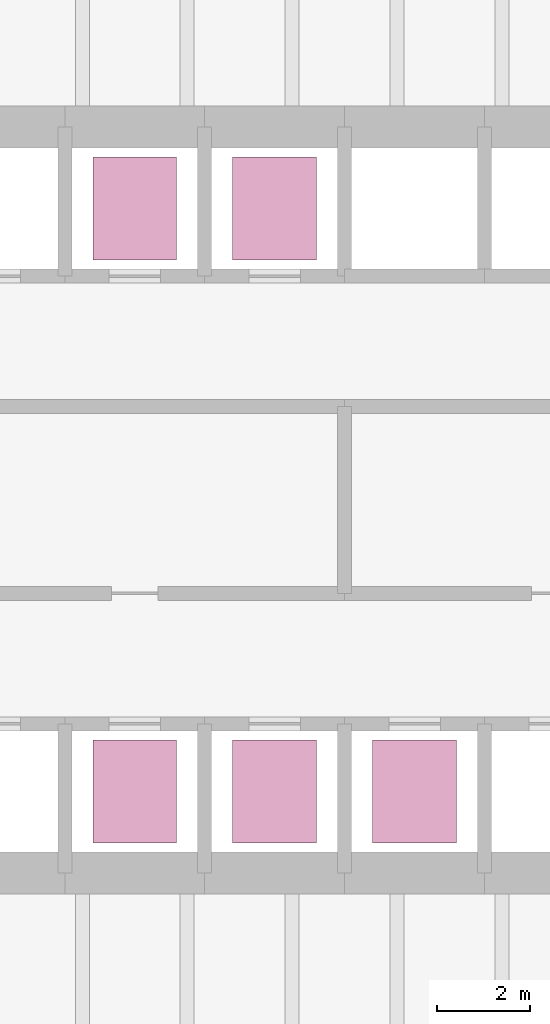
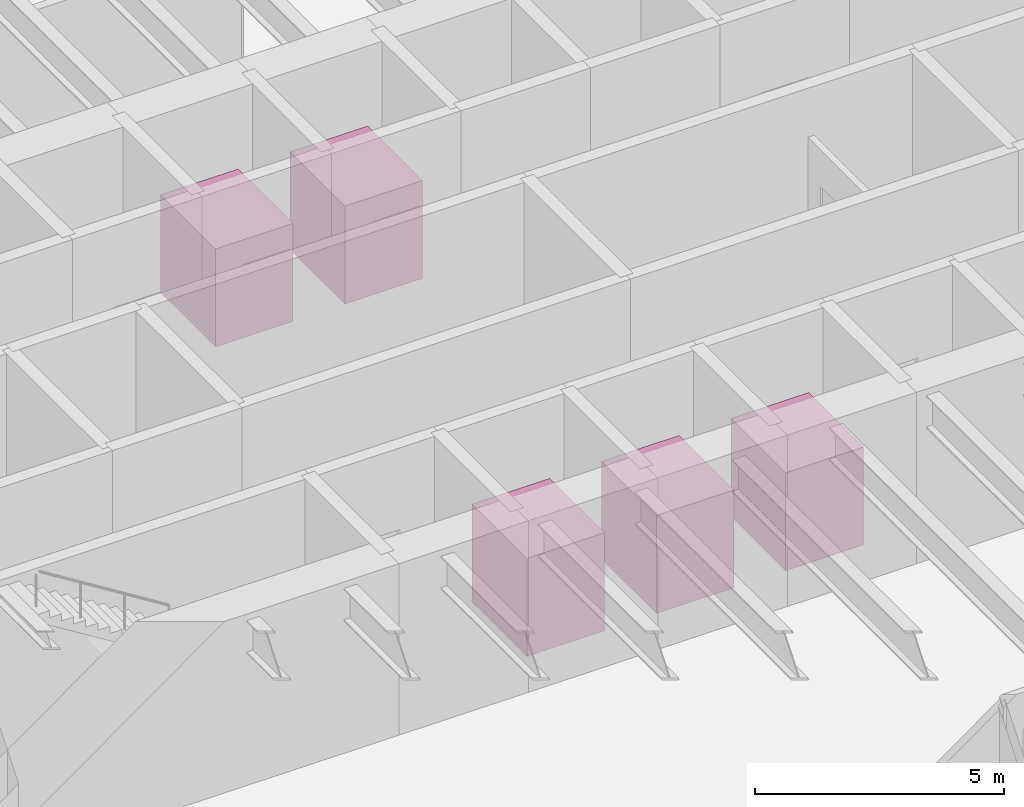
# One storey, part 14 of 14: 5 transport elements.
"""IFC4 building model written with IfcOpenShell, lengths in metres."""

from ifc_helpers import new_model, si_unit, direction, frame, origin, origin_2d, place, context, subcontext, project, spatial, rectangle, extrude, material, type_object, element, save


model = new_model("IFC4")

# Units and contexts
model_context = context("Model", 3, precision=1e-05, world=origin(), true_north=direction((0.0, 1.0)))
body_context = subcontext(model_context, "Body", "Model", "MODEL_VIEW")
ifc_project = project(units=[si_unit("LENGTHUNIT", "METRE"), si_unit("AREAUNIT", "SQUARE_METRE"), si_unit("VOLUMEUNIT", "CUBIC_METRE"), si_unit("PLANEANGLEUNIT", "RADIAN"), si_unit("MASSUNIT", "GRAM", prefix="KILO")], contexts=[model_context])

# Site, building, storey
site_placement = place(None, origin())
site = spatial("IfcSite", under=ifc_project, at=site_placement, CompositionType="ELEMENT")
building_placement = place(site_placement, origin())
building = spatial("IfcBuilding", under=site, at=building_placement, Name="Rheinbord Bourse Tower", CompositionType="ELEMENT")
storey_placement = place(building_placement, frame((0.0, 0.0, 100.5)))
storey = spatial("IfcBuildingStorey", under=building, at=storey_placement, Name="L21", CompositionType="ELEMENT", Elevation=100.5)

# Transport elements
ifc_material = material(Name="Lift car steel and glass", Category="steel")
transport_element_type = type_object("IfcTransportElementType", Name="LIFT CAR", PredefinedType="ELEVATOR", material=ifc_material)
for number, where, z_axis, x_axis, name in (
    (1, (31.5, 17.75, 0.0), (0.0, 0.0, 1.0), (1.0, 0.0, 0.0), "Lift PB1"),
    (2, (34.5, 17.75, 0.0), (0.0, 0.0, 1.0), (1.0, 0.0, 0.0), "Lift PB2"),
    (3, (37.5, 17.75, 0.0), (0.0, 0.0, 1.0), (1.0, 0.0, 0.0), "Lift PB3"),
    (4, (31.5, 30.25, 0.0), (0.0, 0.0, 1.0), (1.0, 0.0, 0.0), "Lift PB4"),
    (5, (34.5, 30.25, 0.0), (0.0, 0.0, 1.0), (1.0, 0.0, 0.0), "Lift PB5"),
):
    element("IfcTransportElement", number, at=place(storey_placement, frame(where, z_axis=z_axis, x_axis=x_axis)), inside=storey, type_object=transport_element_type, Name=name, PredefinedType="ELEVATOR", context=body_context, shape_type="SweptSolid", body=[
        extrude(rectangle(XDim=1.800048828125, YDim=2.199951171875, at=origin_2d()), origin(), (0.0, 0.0, 1.0), 2.39990234375),
    ])

save(model, "model.ifc")
